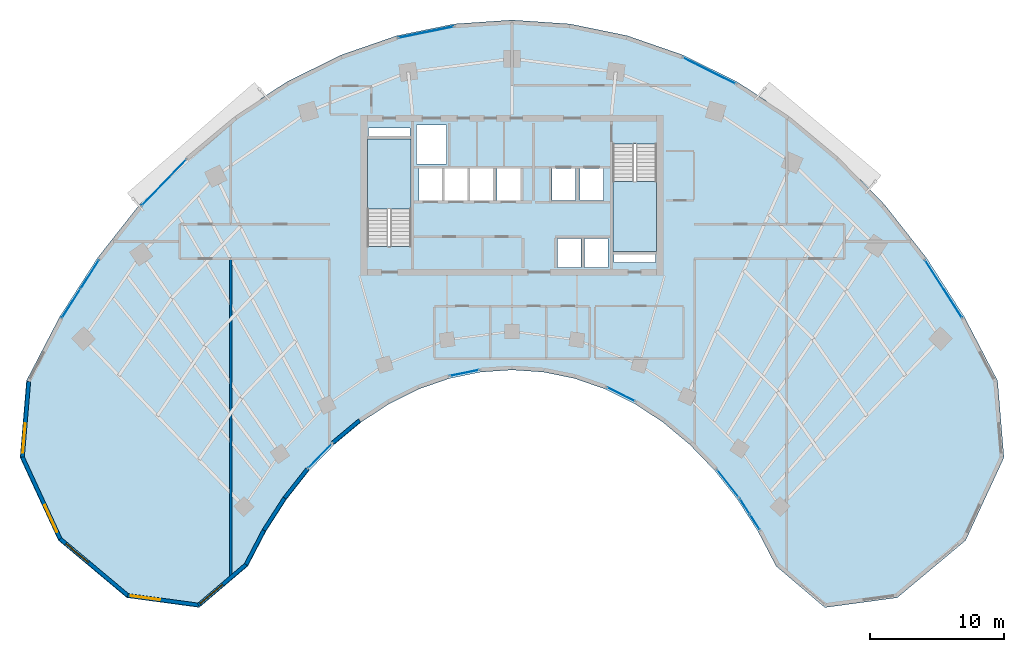
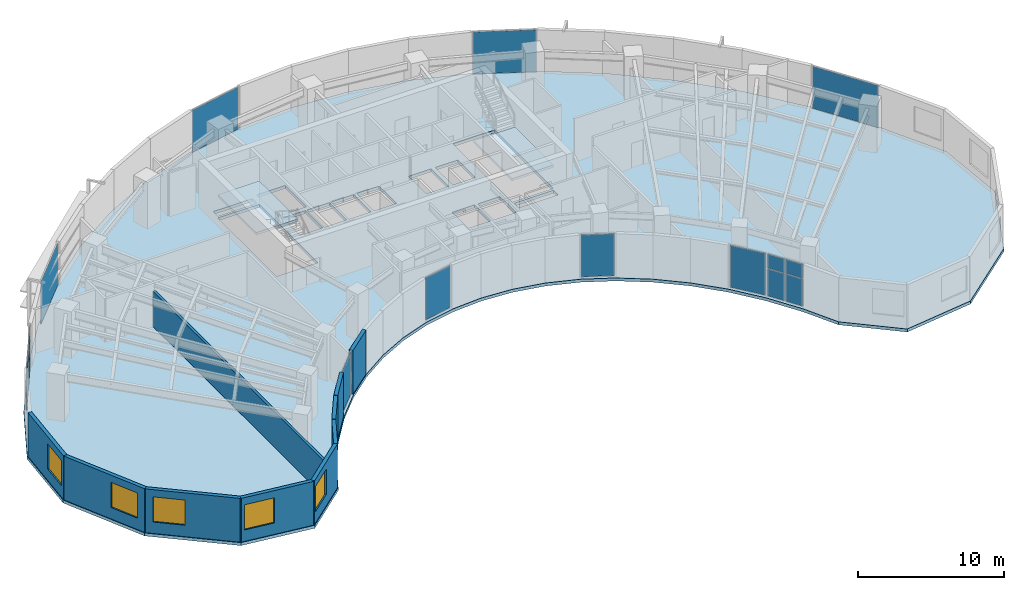
# One storey, part 7 of 14: 16 plates, 10 walls, 5 windows, 3 slabs, 5 openings, 12 elements without a shape of their own.
"""IFC4 building model written with IfcOpenShell, lengths in metres."""

from ifc_helpers import new_model, si_unit, direction, frame, frame_2d, origin, origin_2d, place, context, subcontext, project, spatial, polyline, rectangle, outline, extrude, source, transform, mapped, material, layer, layer_set, type_object, type_shapes, element, fill, aggregate, save


model = new_model("IFC4")

# Units and contexts
model_context = context("Model", 3, precision=1e-05, world=origin(), true_north=direction((0.0, 1.0)))
body_context = subcontext(model_context, "Body", "Model", "MODEL_VIEW")
ifc_project = project(units=[si_unit("LENGTHUNIT", "METRE"), si_unit("AREAUNIT", "SQUARE_METRE"), si_unit("VOLUMEUNIT", "CUBIC_METRE"), si_unit("PLANEANGLEUNIT", "RADIAN"), si_unit("MASSUNIT", "GRAM", prefix="KILO")], contexts=[model_context])

# Site, building, storey
site_placement = place(None, origin())
site = spatial("IfcSite", under=ifc_project, at=site_placement, CompositionType="ELEMENT")
building_placement = place(site_placement, origin())
building = spatial("IfcBuilding", under=site, at=building_placement, Name="Breltana Convention Tower", CompositionType="ELEMENT")
storey_placement = place(building_placement, frame((0.0, 0.0, 111.60009765625)))
storey = spatial("IfcBuildingStorey", under=building, at=storey_placement, Name="L26", CompositionType="ELEMENT", Elevation=111.60009765625)

# Slab
ifc_material_1 = material(Name="Concrete C40/50", Category="concrete")
ifc_layer_1 = layer(ifc_material_1, 0.25, Name="Concrete C40/50")
ifc_layer_set_1 = layer_set([ifc_layer_1], Name="Concrete C40/50")
slab_type_1 = type_object("IfcSlabType", Name="SL-OFF-250", PredefinedType="FLOOR", material=ifc_layer_set_1)
slab_1_placement = place(storey_placement, frame((0.0, 0.0, -0.25)))
element("IfcSlab", 1, at=slab_1_placement, inside=storey, type_object=slab_type_1, Name="L26 Suspended Structural Floor Slab", PredefinedType="FLOOR", context=body_context, shape_type="SweptSolid", body=[
    extrude(outline(polyline([(84.254150390625, 52.3564453125), (81.779052734375, 57.1103515625), (78.958251953125, 61.5048828125), (75.820556640625, 65.494873046875), (72.39794921875, 69.03955078125), (68.7255859375, 72.1025390625), (64.841064453125, 74.652587890625), (60.783935546875, 76.663818359375), (56.59619140625, 78.114990234375), (52.3203125, 78.99169921875), (48.0, 79.284912109375), (43.6796875, 78.99169921875), (39.40380859375, 78.114990234375), (35.216064453125, 76.663818359375), (31.158935546875, 74.652587890625), (27.2744140625, 72.1025390625), (23.60205078125, 69.03955078125), (20.179443359375, 65.494873046875), (17.041748046875, 61.5048828125), (14.220947265625, 57.1103515625), (11.745849609375, 52.3564453125), (11.266357421875, 46.619384765625), (14.128173828125, 40.42919921875), (19.23828125, 36.150146484375), (24.64501953125, 35.4169921875), (28.282958984375, 38.509521484375), (29.62890625, 41.09521484375), (31.1630859375, 43.485107421875), (32.869384765625, 45.655029296875), (34.73095703125, 47.5830078125), (36.728271484375, 49.248779296875), (38.8408203125, 50.6357421875), (41.04736328125, 51.7294921875), (43.324951171875, 52.518798828125), (45.650390625, 52.99560546875), (48.0, 53.155029296875), (50.349609375, 52.99560546875), (52.675048828125, 52.518798828125), (54.95263671875, 51.7294921875), (57.1591796875, 50.6357421875), (59.271728515625, 49.248779296875), (61.26904296875, 47.5830078125), (63.130615234375, 45.655029296875), (64.8369140625, 43.485107421875), (66.37109375, 41.09521484375), (67.717041015625, 38.509521484375), (71.35498046875, 35.4169921875), (76.76171875, 36.150146484375), (81.871826171875, 40.42919921875), (84.733642578125, 46.619384765625), (84.254150390625, 52.3564453125)]), holes=[polyline([(37.199951171875, 62.385009765625), (40.469970703125, 62.385009765625), (40.469970703125, 70.39990234375), (37.199951171875, 70.39990234375), (37.199951171875, 62.385009765625)]), polyline([(55.530029296875, 62.0), (58.800048828125, 62.0), (58.800048828125, 70.014892578125), (55.530029296875, 70.014892578125), (55.530029296875, 62.0)]), polyline([(51.39990234375, 60.800048828125), (53.159912109375, 60.800048828125), (53.159912109375, 62.97998046875), (51.39990234375, 62.97998046875), (51.39990234375, 60.800048828125)]), polyline([(53.39990234375, 60.800048828125), (55.159912109375, 60.800048828125), (55.159912109375, 62.97998046875), (53.39990234375, 62.97998046875), (53.39990234375, 60.800048828125)]), polyline([(41.0400390625, 65.820068359375), (42.800048828125, 65.820068359375), (42.800048828125, 68.179931640625), (41.0400390625, 68.179931640625), (41.0400390625, 65.820068359375)]), polyline([(42.93994140625, 65.820068359375), (44.699951171875, 65.820068359375), (44.699951171875, 68.179931640625), (42.93994140625, 68.179931640625), (42.93994140625, 65.820068359375)]), polyline([(44.8701171875, 65.820068359375), (46.6298828125, 65.820068359375), (46.6298828125, 68.179931640625), (44.8701171875, 68.179931640625), (44.8701171875, 65.820068359375)]), polyline([(46.8701171875, 65.820068359375), (48.6298828125, 65.820068359375), (48.6298828125, 68.179931640625), (46.8701171875, 68.179931640625), (46.8701171875, 65.820068359375)]), polyline([(50.969970703125, 65.800048828125), (52.72998046875, 65.800048828125), (52.72998046875, 68.179931640625), (50.969970703125, 68.179931640625), (50.969970703125, 65.800048828125)]), polyline([(53.070068359375, 65.800048828125), (54.830078125, 65.800048828125), (54.830078125, 68.179931640625), (53.070068359375, 68.179931640625), (53.070068359375, 65.800048828125)]), polyline([(40.8798828125, 68.550048828125), (43.1201171875, 68.550048828125), (43.1201171875, 71.449951171875), (40.8798828125, 71.449951171875), (40.8798828125, 68.550048828125)]), polyline([(37.300048828125, 70.60009765625), (40.3798828125, 70.60009765625), (40.3798828125, 71.219970703125), (37.300048828125, 71.219970703125), (37.300048828125, 70.60009765625)]), polyline([(55.6201171875, 61.179931640625), (58.699951171875, 61.179931640625), (58.699951171875, 61.800048828125), (55.6201171875, 61.800048828125), (55.6201171875, 61.179931640625)])]), origin(), (0.0, 0.0, 1.0), 0.25),
])

# Stair, slab
stair_type = type_object("IfcStairType", Name="ST-DOG-1560-R177", PredefinedType="HALF_TURN_STAIR", material=ifc_material_1)
stair_1_placement = place(storey_placement, origin())
stair_1 = element("IfcStair", 2, at=stair_1_placement, inside=storey, type_object=stair_type, Name="L26 Protected Core Exit Stair ST-1", PredefinedType="HALF_TURN_STAIR")
ifc_layer_2 = layer(ifc_material_1, 0.199951171875, Name="Concrete C40/50")
ifc_layer_set_2 = layer_set([ifc_layer_2], Name="Concrete C40/50")
slab_type_2 = type_object("IfcSlabType", Name="SL-STAIR-LANDING-200", PredefinedType="LANDING", material=ifc_layer_set_2)
slab_2_placement = place(storey_placement, frame((0.0, 0.0, 1.75)))
slab_2 = element("IfcSlab", 3, at=slab_2_placement, type_object=slab_type_2, Name="ST-1 landing 1", PredefinedType="LANDING", context=body_context, shape_type="SweptSolid", body=[
    extrude(outline(polyline([(40.469970703125, 65.159912109375), (40.469970703125, 70.39990234375), (37.199951171875, 70.39990234375), (37.199951171875, 65.159912109375), (40.469970703125, 65.159912109375)])), origin(), (0.0, 0.0, 1.0), 0.199951171875),
])
aggregate(stair_1, [slab_2])

stair_2_placement = place(storey_placement, origin())
stair_2 = element("IfcStair", 4, at=stair_2_placement, inside=storey, type_object=stair_type, Name="L26 Protected Core Exit Stair ST-2", PredefinedType="HALF_TURN_STAIR")
slab_3_placement = place(storey_placement, frame((0.0, 0.0, 1.75)))
slab_3 = element("IfcSlab", 5, at=slab_3_placement, type_object=slab_type_2, Name="ST-2 landing 1", PredefinedType="LANDING", context=body_context, shape_type="SweptSolid", body=[
    extrude(outline(polyline([(55.530029296875, 67.239990234375), (55.530029296875, 62.0), (58.800048828125, 62.0), (58.800048828125, 67.239990234375), (55.530029296875, 67.239990234375)])), origin(), (0.0, 0.0, 1.0), 0.199951171875),
])
aggregate(stair_2, [slab_3])

# Curtain wall, plates
ifc_material_2 = material(Name="Aluminium Anodised Bronze Frame", Category="aluminium")
ifc_layer_3 = layer(ifc_material_2, 0.18994140625, Name="Aluminium Anodised Bronze Frame")
ifc_layer_set_3 = layer_set([ifc_layer_3], Name="Aluminium Anodised Bronze Frame")
curtain_wall_type_1 = type_object("IfcCurtainWallType", Name="CW-SYS-1", PredefinedType="NOTDEFINED", material=ifc_layer_set_3)
curtain_wall_1_placement = place(storey_placement, origin())
curtain_wall_1 = element("IfcCurtainWall", 6, at=curtain_wall_1_placement, inside=storey, type_object=curtain_wall_type_1, Name="L26 inner south-court glazing 1", PredefinedType="NOTDEFINED")
ifc_material_3 = material(Name="Glass Low-E Double Glazing", Category="glass")
ifc_layer_4 = layer(ifc_material_3, 0.028076171875, Name="Glass Low-E Double Glazing")
ifc_layer_set_4 = layer_set([ifc_layer_4], Name="Glass Low-E Double Glazing")
plate_type_1 = type_object("IfcPlateType", Name="CWP-IGU-28", PredefinedType="CURTAIN_PANEL", material=ifc_layer_set_4)
shared_shape_1 = source(origin(), body_context, "Body", "SweptSolid", [
    extrude(rectangle(XDim=1.300048828125, YDim=0.028076171875, at=origin_2d()), origin(), (0.0, 0.0, 1.0), 2.25244140625),
])
plate_1_placement = place(storey_placement, frame((66.128173828125, 41.806640625, 0.079833984375), z_axis=(0.0, 0.0, 1.0), x_axis=(-0.5401773017, 0.841551235949, 0.0)))
plate_1 = element("IfcPlate", 7, at=plate_1_placement, type_object=plate_type_1, Name="CW-01 panel 1.1", PredefinedType="CURTAIN_PANEL", context=body_context, shape_type="MappedRepresentation", body=[
    mapped(shared_shape_1, transform((0.0, 0.0, 0.0), scale=1.0)),
])
plate_2_placement = place(storey_placement, frame((65.3828125, 42.968017578125, 0.079833984375), z_axis=(0.0, 0.0, 1.0), x_axis=(-0.5401773017, 0.841551235949, 0.0)))
plate_2 = element("IfcPlate", 8, at=plate_2_placement, type_object=plate_type_1, Name="CW-01 panel 2.1", PredefinedType="CURTAIN_PANEL", context=body_context, shape_type="MappedRepresentation", body=[
    mapped(shared_shape_1, transform((0.0, 0.0, 0.0), scale=1.0)),
])
shared_shape_2 = source(origin(), body_context, "Body", "SweptSolid", [
    extrude(rectangle(XDim=1.300048828125, YDim=0.028076171875, at=origin_2d()), origin(), (0.0, 0.0, 1.0), 1.157470703125),
])
plate_3_placement = place(storey_placement, frame((66.128173828125, 41.806640625, 2.41259765625), z_axis=(0.0, 0.0, 1.0), x_axis=(-0.5401773017, 0.841551235949, 0.0)))
plate_3 = element("IfcPlate", 9, at=plate_3_placement, type_object=plate_type_1, Name="CW-01 panel 1.2", PredefinedType="CURTAIN_PANEL", context=body_context, shape_type="MappedRepresentation", body=[
    mapped(shared_shape_2, transform((0.0, 0.0, 0.0), scale=1.0)),
])
plate_4_placement = place(storey_placement, frame((65.3828125, 42.968017578125, 2.41259765625), z_axis=(0.0, 0.0, 1.0), x_axis=(-0.5401773017, 0.841551235949, 0.0)))
plate_4 = element("IfcPlate", 10, at=plate_4_placement, type_object=plate_type_1, Name="CW-01 panel 2.2", PredefinedType="CURTAIN_PANEL", context=body_context, shape_type="MappedRepresentation", body=[
    mapped(shared_shape_2, transform((0.0, 0.0, 0.0), scale=1.0)),
])
aggregate(curtain_wall_1, [plate_1, plate_3, plate_2, plate_4])

# Curtain wall, plate
curtain_wall_2_placement = place(storey_placement, origin())
curtain_wall_2 = element("IfcCurtainWall", 11, at=curtain_wall_2_placement, inside=storey, type_object=curtain_wall_type_1, Name="L26 inner south-court glazing 2", PredefinedType="NOTDEFINED")
shared_shape_3 = source(origin(), body_context, "Body", "SweptSolid", [
    extrude(rectangle(XDim=2.6005859375, YDim=0.028076171875, at=origin_2d()), origin(), (0.0, 0.0, 1.0), 3.489990234375),
])
plate_5_placement = place(storey_placement, frame((64.125244140625, 44.681396484375, 0.080078125), z_axis=(0.0, 0.0, 1.0), x_axis=(-0.61815745037, 0.786054302547, 0.0)))
plate_5 = element("IfcPlate", 12, at=plate_5_placement, type_object=plate_type_1, Name="CW-01 panel 1.1", PredefinedType="CURTAIN_PANEL", context=body_context, shape_type="MappedRepresentation", body=[
    mapped(shared_shape_3, transform((0.0, 0.0, 0.0), scale=1.0)),
])
aggregate(curtain_wall_2, [plate_5])

# Curtain wall, plates
ifc_layer_5 = layer(ifc_material_2, 0.22998046875, Name="Aluminium Anodised Bronze Frame")
ifc_layer_set_5 = layer_set([ifc_layer_5], Name="Aluminium Anodised Bronze Frame")
curtain_wall_type_2 = type_object("IfcCurtainWallType", Name="CW-SYS-5", PredefinedType="NOTDEFINED", material=ifc_layer_set_5)
curtain_wall_3_placement = place(storey_placement, origin())
curtain_wall_3 = element("IfcCurtainWall", 13, at=curtain_wall_3_placement, inside=storey, type_object=curtain_wall_type_2, Name="L26 outer double-skin inner glazing 1", PredefinedType="NOTDEFINED")
ifc_layer_6 = layer(ifc_material_3, 0.035888671875, Name="Glass Low-E Double Glazing")
ifc_layer_set_6 = layer_set([ifc_layer_6], Name="Glass Low-E Double Glazing")
plate_type_2 = type_object("IfcPlateType", Name="CWP-IGU-36", PredefinedType="CURTAIN_PANEL", material=ifc_layer_set_6)
shared_shape_4 = source(origin(), body_context, "Body", "SweptSolid", [
    extrude(rectangle(XDim=2.49755859375, YDim=0.035888671875, at=origin_2d()), origin(), (0.0, 0.0, 1.0), 2.267578125),
])
plate_6_placement = place(storey_placement, frame((15.089111328125, 58.1298828125, 0.06982421875), z_axis=(0.0, 0.0, 1.0), x_axis=(0.540176809834, 0.84155155167, 0.0)))
plate_6 = element("IfcPlate", 14, at=plate_6_placement, type_object=plate_type_2, Name="CW-05 panel 1.1", PredefinedType="CURTAIN_PANEL", context=body_context, shape_type="MappedRepresentation", body=[
    mapped(shared_shape_4, transform((0.0, 0.0, 0.0), scale=1.0)),
])
plate_7_placement = place(storey_placement, frame((16.47607421875, 60.29052734375, 0.06982421875), z_axis=(0.0, 0.0, 1.0), x_axis=(0.540176809834, 0.84155155167, 0.0)))
plate_7 = element("IfcPlate", 15, at=plate_7_placement, type_object=plate_type_2, Name="CW-05 panel 2.1", PredefinedType="CURTAIN_PANEL", context=body_context, shape_type="MappedRepresentation", body=[
    mapped(shared_shape_4, transform((0.0, 0.0, 0.0), scale=1.0)),
])
shared_shape_5 = source(origin(), body_context, "Body", "SweptSolid", [
    extrude(rectangle(XDim=2.49755859375, YDim=0.035888671875, at=origin_2d()), origin(), (0.0, 0.0, 1.0), 1.172607421875),
])
plate_8_placement = place(storey_placement, frame((15.089111328125, 58.1298828125, 2.4072265625), z_axis=(0.0, 0.0, 1.0), x_axis=(0.540176809834, 0.84155155167, 0.0)))
plate_8 = element("IfcPlate", 16, at=plate_8_placement, type_object=plate_type_2, Name="CW-05 panel 1.2", PredefinedType="CURTAIN_PANEL", context=body_context, shape_type="MappedRepresentation", body=[
    mapped(shared_shape_5, transform((0.0, 0.0, 0.0), scale=1.0)),
])
plate_9_placement = place(storey_placement, frame((16.47607421875, 60.29052734375, 2.4072265625), z_axis=(0.0, 0.0, 1.0), x_axis=(0.540176809834, 0.84155155167, 0.0)))
plate_9 = element("IfcPlate", 17, at=plate_9_placement, type_object=plate_type_2, Name="CW-05 panel 2.2", PredefinedType="CURTAIN_PANEL", context=body_context, shape_type="MappedRepresentation", body=[
    mapped(shared_shape_5, transform((0.0, 0.0, 0.0), scale=1.0)),
])
aggregate(curtain_wall_3, [plate_6, plate_8, plate_7, plate_9])

# Curtain wall, plate
curtain_wall_4_placement = place(storey_placement, origin())
curtain_wall_4 = element("IfcCurtainWall", 18, at=curtain_wall_4_placement, inside=storey, type_object=curtain_wall_type_2, Name="L26 outer double-skin inner glazing 4", PredefinedType="NOTDEFINED")
shared_shape_6 = source(origin(), body_context, "Body", "SweptSolid", [
    extrude(rectangle(XDim=4.36572265625, YDim=0.035888671875, at=origin_2d()), origin(), (0.0, 0.0, 1.0), 3.510009765625),
])
plate_10_placement = place(storey_placement, frame((62.73291015625, 75.496826171875, 0.06982421875), z_axis=(0.0, 0.0, 1.0), x_axis=(0.895966548937, -0.444121541007, 0.0)))
plate_10 = element("IfcPlate", 19, at=plate_10_placement, type_object=plate_type_2, Name="CW-05 panel 1.1", PredefinedType="CURTAIN_PANEL", context=body_context, shape_type="MappedRepresentation", body=[
    mapped(shared_shape_6, transform((0.0, 0.0, 0.0), scale=1.0)),
])
aggregate(curtain_wall_4, [plate_10])

curtain_wall_5_placement = place(storey_placement, origin())
curtain_wall_5 = element("IfcCurtainWall", 20, at=curtain_wall_5_placement, inside=storey, type_object=curtain_wall_type_2, Name="L26 outer double-skin inner glazing 3", PredefinedType="NOTDEFINED")
shared_shape_7 = source(origin(), body_context, "Body", "SweptSolid", [
    extrude(rectangle(XDim=4.200927734375, YDim=0.035888671875, at=origin_2d()), origin(), (0.0, 0.0, 1.0), 3.510009765625),
])
plate_11_placement = place(storey_placement, frame((41.577880859375, 78.376953125, 0.06982421875), z_axis=(0.0, 0.0, 1.0), x_axis=(0.979620254346, 0.200858550415, 0.0)))
plate_11 = element("IfcPlate", 21, at=plate_11_placement, type_object=plate_type_2, Name="CW-05 panel 1.1", PredefinedType="CURTAIN_PANEL", context=body_context, shape_type="MappedRepresentation", body=[
    mapped(shared_shape_7, transform((0.0, 0.0, 0.0), scale=1.0)),
])
aggregate(curtain_wall_5, [plate_11])

curtain_wall_6_placement = place(storey_placement, origin())
curtain_wall_6 = element("IfcCurtainWall", 22, at=curtain_wall_6_placement, inside=storey, type_object=curtain_wall_type_2, Name="L26 outer double-skin inner glazing 2", PredefinedType="NOTDEFINED")
shared_shape_8 = source(origin(), body_context, "Body", "SweptSolid", [
    extrude(rectangle(XDim=4.7685546875, YDim=0.035888671875, at=origin_2d()), origin(), (0.0, 0.0, 1.0), 3.510009765625),
])
plate_12_placement = place(storey_placement, frame((22.02001953125, 67.141845703125, 0.06982421875), z_axis=(0.0, 0.0, 1.0), x_axis=(0.694611601605, 0.719384961558, 0.0)))
plate_12 = element("IfcPlate", 23, at=plate_12_placement, type_object=plate_type_2, Name="CW-05 panel 1.1", PredefinedType="CURTAIN_PANEL", context=body_context, shape_type="MappedRepresentation", body=[
    mapped(shared_shape_8, transform((0.0, 0.0, 0.0), scale=1.0)),
])
aggregate(curtain_wall_6, [plate_12])

curtain_wall_7_placement = place(storey_placement, origin())
curtain_wall_7 = element("IfcCurtainWall", 24, at=curtain_wall_7_placement, inside=storey, type_object=curtain_wall_type_1, Name="L26 inner south-court glazing 3", PredefinedType="NOTDEFINED")
shared_shape_9 = source(origin(), body_context, "Body", "SweptSolid", [
    extrude(rectangle(XDim=2.302490234375, YDim=0.028076171875, at=origin_2d()), origin(), (0.0, 0.0, 1.0), 3.489990234375),
])
plate_13_placement = place(storey_placement, frame((56.1357421875, 51.34375, 0.080078125), z_axis=(0.0, 0.0, 1.0), x_axis=(-0.895964953495, 0.444124759622, 0.0)))
plate_13 = element("IfcPlate", 25, at=plate_13_placement, type_object=plate_type_1, Name="CW-01 panel 1.1", PredefinedType="CURTAIN_PANEL", context=body_context, shape_type="MappedRepresentation", body=[
    mapped(shared_shape_9, transform((0.0, 0.0, 0.0), scale=1.0)),
])
aggregate(curtain_wall_7, [plate_13])

curtain_wall_8_placement = place(storey_placement, origin())
curtain_wall_8 = element("IfcCurtainWall", 26, at=curtain_wall_8_placement, inside=storey, type_object=curtain_wall_type_1, Name="L26 inner south-court glazing 4", PredefinedType="NOTDEFINED")
shared_shape_10 = source(origin(), body_context, "Body", "SweptSolid", [
    extrude(rectangle(XDim=2.2138671875, YDim=0.028076171875, at=origin_2d()), origin(), (0.0, 0.0, 1.0), 3.489990234375),
])
plate_14_placement = place(storey_placement, frame((44.451416015625, 52.933349609375, 0.080078125), z_axis=(0.0, 0.0, 1.0), x_axis=(-0.979621406891, -0.200852929183, 0.0)))
plate_14 = element("IfcPlate", 27, at=plate_14_placement, type_object=plate_type_1, Name="CW-01 panel 1.1", PredefinedType="CURTAIN_PANEL", context=body_context, shape_type="MappedRepresentation", body=[
    mapped(shared_shape_10, transform((0.0, 0.0, 0.0), scale=1.0)),
])
aggregate(curtain_wall_8, [plate_14])

curtain_wall_9_placement = place(storey_placement, origin())
curtain_wall_9 = element("IfcCurtainWall", 28, at=curtain_wall_9_placement, inside=storey, type_object=curtain_wall_type_1, Name="L26 inner south-court glazing 5", PredefinedType="NOTDEFINED")
shared_shape_11 = source(origin(), body_context, "Body", "SweptSolid", [
    extrude(rectangle(XDim=2.519775390625, YDim=0.028076171875, at=origin_2d()), origin(), (0.0, 0.0, 1.0), 3.489990234375),
])
plate_15_placement = place(storey_placement, frame((33.670654296875, 46.743896484375, 0.080078125), z_axis=(0.0, 0.0, 1.0), x_axis=(-0.694609164589, -0.719387314642, 0.0)))
plate_15 = element("IfcPlate", 29, at=plate_15_placement, type_object=plate_type_1, Name="CW-01 panel 1.1", PredefinedType="CURTAIN_PANEL", context=body_context, shape_type="MappedRepresentation", body=[
    mapped(shared_shape_11, transform((0.0, 0.0, 0.0), scale=1.0)),
])
aggregate(curtain_wall_9, [plate_15])

curtain_wall_10_placement = place(storey_placement, origin())
curtain_wall_10 = element("IfcCurtainWall", 30, at=curtain_wall_10_placement, inside=storey, type_object=curtain_wall_type_2, Name="L26 outer double-skin inner glazing 5", PredefinedType="NOTDEFINED")
shared_shape_12 = source(origin(), body_context, "Body", "SweptSolid", [
    extrude(rectangle(XDim=5.065185546875, YDim=0.035888671875, at=origin_2d()), origin(), (0.0, 0.0, 1.0), 3.510009765625),
])
plate_16_placement = place(storey_placement, frame((80.21728515625, 59.210205078125, 0.06982421875), z_axis=(0.0, 0.0, 1.0), x_axis=(0.540176809834, -0.84155155167, 0.0)))
plate_16 = element("IfcPlate", 31, at=plate_16_placement, type_object=plate_type_2, Name="CW-05 panel 1.1", PredefinedType="CURTAIN_PANEL", context=body_context, shape_type="MappedRepresentation", body=[
    mapped(shared_shape_12, transform((0.0, 0.0, 0.0), scale=1.0)),
])
aggregate(curtain_wall_10, [plate_16])

# Wall, opening, window
ifc_material_4 = material(Name="Limestone Buff Insulated Wall", Category="masonry")
ifc_layer_7 = layer(ifc_material_4, 0.280029296875, Name="Limestone Buff Insulated Wall")
ifc_layer_set_7 = layer_set([ifc_layer_7], Name="Limestone Buff Insulated Wall")
wall_type_1 = type_object("IfcWallType", Name="WL-EXT-NOSE-280", PredefinedType="SOLIDWALL", material=ifc_layer_set_7)
shared_shape_13 = source(origin(), body_context, "Body", "SweptSolid", [
    extrude(rectangle(XDim=5.673583984375, YDim=0.280029296875, at=frame_2d((2.8369140625, 0.0))), origin(), (0.0, 0.0, 1.0), 3.64990234375),
])
wall_1_placement = place(storey_placement, frame((11.44970703125, 46.651611328125, 0.0), z_axis=(0.0, 0.0, 1.0), x_axis=(0.083309007867, 0.996523762491, 0.0)))
wall_1 = element("IfcWall", 32, at=wall_1_placement, inside=storey, type_object=wall_type_1, Name="L26 curved limestone nose wall W6", PredefinedType="SOLIDWALL", context=body_context, shape_type="MappedRepresentation", body=[
    mapped(shared_shape_13, transform((0.0, 0.0, 0.0), scale=1.0)),
])
opening_1_placement = place(wall_1_placement, frame((0.318359375, 0.0, 0.949951171875)))
opening_1 = element("IfcOpeningElement", 33, at=opening_1_placement, cuts=wall_1, Name="Opening W-03", PredefinedType="OPENING", context=body_context, shape_type="SweptSolid", body=[
    extrude(rectangle(XDim=2.199951171875, YDim=2.10009765625, at=frame_2d((1.10009765625, 1.050048828125))), frame((0.0, 0.14990234375, 0.0), z_axis=(0.0, -1.0, 0.0), x_axis=(1.0, 0.0, 0.0)), (0.0, 0.0, 1.0), 0.300048828125),
])
ifc_material_5 = material(Name="Glass Low-E Insulated Window", Category="glass")
window_type = type_object("IfcWindowType", Name="WN-NOSE-2200X2100", PartitioningType="TRIPLE_PANEL_VERTICAL", PredefinedType="WINDOW", material=ifc_material_5)
shared_shape_14 = source(origin(), body_context, "Body", "SweptSolid", [
    extrude(rectangle(XDim=2.199951171875, YDim=2.10009765625, at=frame_2d((1.10009765625, 1.050048828125))), frame((0.0, 0.030029296875, 0.0), z_axis=(0.0, -1.0, 0.0), x_axis=(1.0, 0.0, 0.0)), (0.0, 0.0, 1.0), 0.06005859375),
])
type_shapes(window_type, [shared_shape_14])
window_1_placement = place(opening_1_placement, origin())
window_1 = element("IfcWindow", 34, at=window_1_placement, inside=storey, type_object=window_type, Name="L26 nose window W6", OverallHeight=2.10009765625, OverallWidth=2.199951171875, PartitioningType="TRIPLE_PANEL_VERTICAL", PredefinedType="WINDOW", context=body_context, shape_type="MappedRepresentation", body=[
    mapped(shared_shape_14, transform((0.0, 0.0, 0.0), scale=1.0)),
])
fill(opening_1, window_1)

shared_shape_15 = source(origin(), body_context, "Body", "SweptSolid", [
    extrude(rectangle(XDim=6.731689453125, YDim=0.280029296875, at=frame_2d((3.36572265625, 0.0))), origin(), (0.0, 0.0, 1.0), 3.64990234375),
])
wall_2_placement = place(storey_placement, frame((14.274658203125, 40.541259765625, 0.0), z_axis=(0.0, 0.0, 1.0), x_axis=(-0.419644552709, 0.907688520023, 0.0)))
wall_2 = element("IfcWall", 35, at=wall_2_placement, inside=storey, type_object=wall_type_1, Name="L26 curved limestone nose wall W5", PredefinedType="SOLIDWALL", context=body_context, shape_type="MappedRepresentation", body=[
    mapped(shared_shape_15, transform((0.0, 0.0, 0.0), scale=1.0)),
])
opening_2_placement = place(wall_2_placement, frame((0.5830078125, 0.0, 0.949951171875)))
opening_2 = element("IfcOpeningElement", 36, at=opening_2_placement, cuts=wall_2, Name="Opening W-03", PredefinedType="OPENING", context=body_context, shape_type="SweptSolid", body=[
    extrude(rectangle(XDim=2.199951171875, YDim=2.10009765625, at=frame_2d((1.10009765625, 1.050048828125))), frame((0.0, 0.14990234375, 0.0), z_axis=(0.0, -1.0, 0.0), x_axis=(1.0, 0.0, 0.0)), (0.0, 0.0, 1.0), 0.300048828125),
])
window_2_placement = place(opening_2_placement, origin())
window_2 = element("IfcWindow", 37, at=window_2_placement, inside=storey, type_object=window_type, Name="L26 nose window W5", OverallHeight=2.10009765625, OverallWidth=2.199951171875, PartitioningType="TRIPLE_PANEL_VERTICAL", PredefinedType="WINDOW", context=body_context, shape_type="MappedRepresentation", body=[
    mapped(shared_shape_14, transform((0.0, 0.0, 0.0), scale=1.0)),
])
fill(opening_2, window_2)

shared_shape_16 = source(origin(), body_context, "Body", "SweptSolid", [
    extrude(rectangle(XDim=6.572998046875, YDim=0.280029296875, at=frame_2d((3.28662109375, 0.0))), origin(), (0.0, 0.0, 1.0), 3.64990234375),
])
wall_3_placement = place(storey_placement, frame((19.314208984375, 36.321533203125, 0.0), z_axis=(0.0, 0.0, 1.0), x_axis=(-0.766715154163, 0.641987439423, 0.0)))
wall_3 = element("IfcWall", 38, at=wall_3_placement, inside=storey, type_object=wall_type_1, Name="L26 curved limestone nose wall W4", PredefinedType="SOLIDWALL", context=body_context, shape_type="MappedRepresentation", body=[
    mapped(shared_shape_16, transform((0.0, 0.0, 0.0), scale=1.0)),
])
opening_3_placement = place(wall_3_placement, frame((3.82958984375, 0.0, 0.949951171875)))
opening_3 = element("IfcOpeningElement", 39, at=opening_3_placement, cuts=wall_3, Name="Opening W-03", PredefinedType="OPENING", context=body_context, shape_type="SweptSolid", body=[
    extrude(rectangle(XDim=2.199951171875, YDim=2.10009765625, at=frame_2d((1.10009765625, 1.050048828125))), frame((0.0, 0.14990234375, 0.0), z_axis=(0.0, -1.0, 0.0), x_axis=(1.0, 0.0, 0.0)), (0.0, 0.0, 1.0), 0.300048828125),
])
window_3_placement = place(opening_3_placement, origin())
window_3 = element("IfcWindow", 40, at=window_3_placement, inside=storey, type_object=window_type, Name="L26 nose window W4", OverallHeight=2.10009765625, OverallWidth=2.199951171875, PartitioningType="TRIPLE_PANEL_VERTICAL", PredefinedType="WINDOW", context=body_context, shape_type="MappedRepresentation", body=[
    mapped(shared_shape_14, transform((0.0, 0.0, 0.0), scale=1.0)),
])
fill(opening_3, window_3)

shared_shape_17 = source(origin(), body_context, "Body", "SweptSolid", [
    extrude(rectangle(XDim=5.32373046875, YDim=0.280029296875, at=frame_2d((2.661865234375, 0.0))), origin(), (0.0, 0.0, 1.0), 3.64990234375),
])
wall_4_placement = place(storey_placement, frame((24.589599609375, 35.606201171875, 0.0), z_axis=(0.0, 0.0, 1.0), x_axis=(-0.990931467223, 0.134368252451, 0.0)))
wall_4 = element("IfcWall", 41, at=wall_4_placement, inside=storey, type_object=wall_type_1, Name="L26 curved limestone nose wall W3", PredefinedType="SOLIDWALL", context=body_context, shape_type="MappedRepresentation", body=[
    mapped(shared_shape_17, transform((0.0, 0.0, 0.0), scale=1.0)),
])
opening_4_placement = place(wall_4_placement, frame((2.892822265625, 0.0, 0.949951171875)))
opening_4 = element("IfcOpeningElement", 42, at=opening_4_placement, cuts=wall_4, Name="Opening W-03", PredefinedType="OPENING", context=body_context, shape_type="SweptSolid", body=[
    extrude(rectangle(XDim=2.199951171875, YDim=2.10009765625, at=frame_2d((1.10009765625, 1.050048828125))), frame((0.0, 0.14990234375, 0.0), z_axis=(0.0, -1.0, 0.0), x_axis=(1.0, 0.0, 0.0)), (0.0, 0.0, 1.0), 0.300048828125),
])
window_4_placement = place(opening_4_placement, origin())
window_4 = element("IfcWindow", 43, at=window_4_placement, inside=storey, type_object=window_type, Name="L26 nose window W3", OverallHeight=2.10009765625, OverallWidth=2.199951171875, PartitioningType="TRIPLE_PANEL_VERTICAL", PredefinedType="WINDOW", context=body_context, shape_type="MappedRepresentation", body=[
    mapped(shared_shape_14, transform((0.0, 0.0, 0.0), scale=1.0)),
])
fill(opening_4, window_4)

shared_shape_18 = source(origin(), body_context, "Body", "SweptSolid", [
    extrude(rectangle(XDim=4.6591796875, YDim=0.280029296875, at=frame_2d((2.32958984375, 0.0))), origin(), (0.0, 0.0, 1.0), 3.64990234375),
])
wall_5_placement = place(storey_placement, frame((28.139404296875, 38.623779296875, 0.0), z_axis=(0.0, 0.0, 1.0), x_axis=(-0.761913458795, -0.647678841176, 0.0)))
wall_5 = element("IfcWall", 44, at=wall_5_placement, inside=storey, type_object=wall_type_1, Name="L26 curved limestone nose wall W2", PredefinedType="SOLIDWALL", context=body_context, shape_type="MappedRepresentation", body=[
    mapped(shared_shape_18, transform((0.0, 0.0, 0.0), scale=1.0)),
])
opening_5_placement = place(wall_5_placement, frame((2.29931640625, 0.0, 0.949951171875)))
opening_5 = element("IfcOpeningElement", 45, at=opening_5_placement, cuts=wall_5, Name="Opening W-03", PredefinedType="OPENING", context=body_context, shape_type="SweptSolid", body=[
    extrude(rectangle(XDim=2.199951171875, YDim=2.10009765625, at=frame_2d((1.10009765625, 1.050048828125))), frame((0.0, 0.14990234375, 0.0), z_axis=(0.0, -1.0, 0.0), x_axis=(1.0, 0.0, 0.0)), (0.0, 0.0, 1.0), 0.300048828125),
])
window_5_placement = place(opening_5_placement, origin())
window_5 = element("IfcWindow", 46, at=window_5_placement, inside=storey, type_object=window_type, Name="L26 nose window W2", OverallHeight=2.10009765625, OverallWidth=2.199951171875, PartitioningType="TRIPLE_PANEL_VERTICAL", PredefinedType="WINDOW", context=body_context, shape_type="MappedRepresentation", body=[
    mapped(shared_shape_14, transform((0.0, 0.0, 0.0), scale=1.0)),
])
fill(opening_5, window_5)

# Walls
shared_shape_19 = source(origin(), body_context, "Body", "SweptSolid", [
    extrude(rectangle(XDim=2.8798828125, YDim=0.280029296875, at=frame_2d((1.43994140625, 0.0))), origin(), (0.0, 0.0, 1.0), 3.64990234375),
])
wall_6_placement = place(storey_placement, frame((29.46923828125, 41.17822265625, 0.0), z_axis=(0.0, 0.0, 1.0), x_axis=(-0.461769086658, -0.887000175088, 0.0)))
element("IfcWall", 47, at=wall_6_placement, inside=storey, type_object=wall_type_1, Name="L26 curved limestone nose wall W1", PredefinedType="SOLIDWALL", context=body_context, shape_type="MappedRepresentation", body=[
    mapped(shared_shape_19, transform((0.0, 0.0, 0.0), scale=1.0)),
])
shared_shape_20 = source(origin(), body_context, "Body", "SweptSolid", [
    extrude(rectangle(XDim=2.600830078125, YDim=0.280029296875, at=frame_2d((1.30029296875, 0.0))), origin(), (0.0, 0.0, 1.0), 3.64990234375),
])
wall_7_placement = place(storey_placement, frame((36.61279296875, 49.386962890625, 0.0), z_axis=(0.0, 0.0, 1.0), x_axis=(-0.76796730295, -0.640489048775, 0.0)))
element("IfcWall", 48, at=wall_7_placement, inside=storey, type_object=wall_type_1, Name="L26 curved limestone nose wall E17", PredefinedType="SOLIDWALL", context=body_context, shape_type="MappedRepresentation", body=[
    mapped(shared_shape_20, transform((0.0, 0.0, 0.0), scale=1.0)),
])
shared_shape_21 = source(origin(), body_context, "Body", "SweptSolid", [
    extrude(rectangle(XDim=2.760498046875, YDim=0.280029296875, at=frame_2d((1.38037109375, 0.0))), origin(), (0.0, 0.0, 1.0), 3.64990234375),
])
wall_8_placement = place(storey_placement, frame((32.72802734375, 45.766357421875, 0.0), z_axis=(0.0, 0.0, 1.0), x_axis=(-0.618180818641, -0.786035925047, 0.0)))
element("IfcWall", 49, at=wall_8_placement, inside=storey, type_object=wall_type_1, Name="L26 curved limestone nose wall E18", PredefinedType="SOLIDWALL", context=body_context, shape_type="MappedRepresentation", body=[
    mapped(shared_shape_21, transform((0.0, 0.0, 0.0), scale=1.0)),
])
shared_shape_22 = source(origin(), body_context, "Body", "SweptSolid", [
    extrude(rectangle(XDim=2.83984375, YDim=0.280029296875, at=frame_2d((1.419921875, 0.0))), origin(), (0.0, 0.0, 1.0), 3.64990234375),
])
wall_9_placement = place(storey_placement, frame((31.011474609375, 43.582275390625, 0.0), z_axis=(0.0, 0.0, 1.0), x_axis=(-0.540214368057, -0.841527442538, 0.0)))
element("IfcWall", 50, at=wall_9_placement, inside=storey, type_object=wall_type_1, Name="L26 curved limestone nose wall E19", PredefinedType="SOLIDWALL", context=body_context, shape_type="MappedRepresentation", body=[
    mapped(shared_shape_22, transform((0.0, 0.0, 0.0), scale=1.0)),
])
ifc_material_6 = material(Name="Gypsum Acoustic Hotel Wall")
ifc_layer_8 = layer(ifc_material_6, 0.195068359375, Name="Gypsum Acoustic Hotel Wall")
ifc_layer_set_8 = layer_set([ifc_layer_8], Name="Gypsum Acoustic Hotel Wall")
wall_type_2 = type_object("IfcWallType", Name="WL-HOTEL-200", PredefinedType="PARTITIONING", material=ifc_layer_set_8)
shared_shape_23 = source(origin(), body_context, "Body", "SweptSolid", [
    extrude(rectangle(XDim=23.771484375, YDim=0.195068359375, at=frame_2d((11.8857421875, 0.0))), origin(), (0.0, 0.0, 1.0), 2.94189453125),
])
wall_10_placement = place(storey_placement, frame((27.0, 37.66845703125, 0.0), z_axis=(0.0, 0.0, 1.0), x_axis=(0.0, 1.0, 0.0)))
element("IfcWall", 51, at=wall_10_placement, inside=storey, type_object=wall_type_2, Name="L26 interior partition W-L26-ZWS1-E", PredefinedType="PARTITIONING", context=body_context, shape_type="MappedRepresentation", body=[
    mapped(shared_shape_23, transform((0.0, 0.0, 0.0), scale=1.0)),
])

save(model, "model.ifc")
